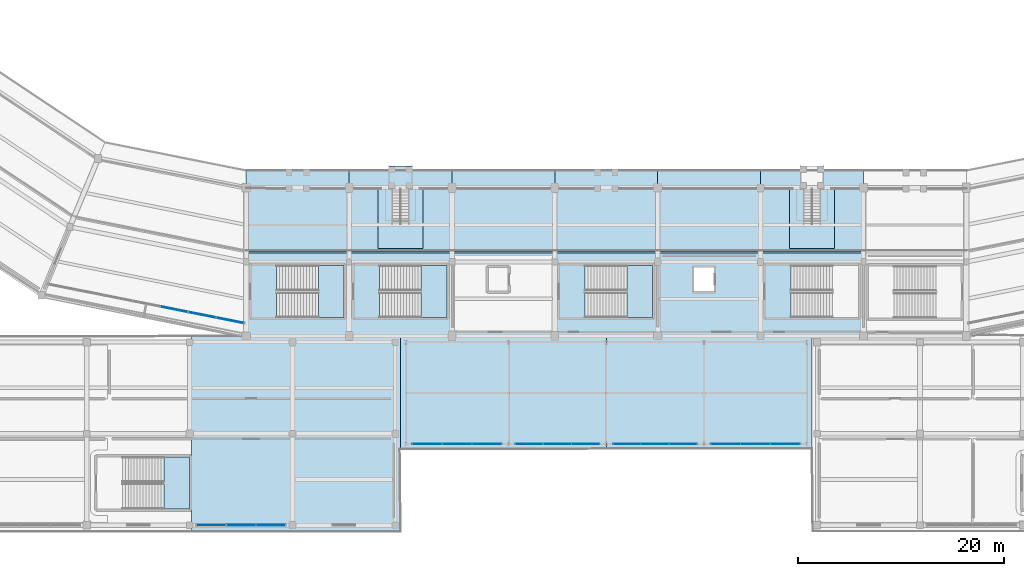
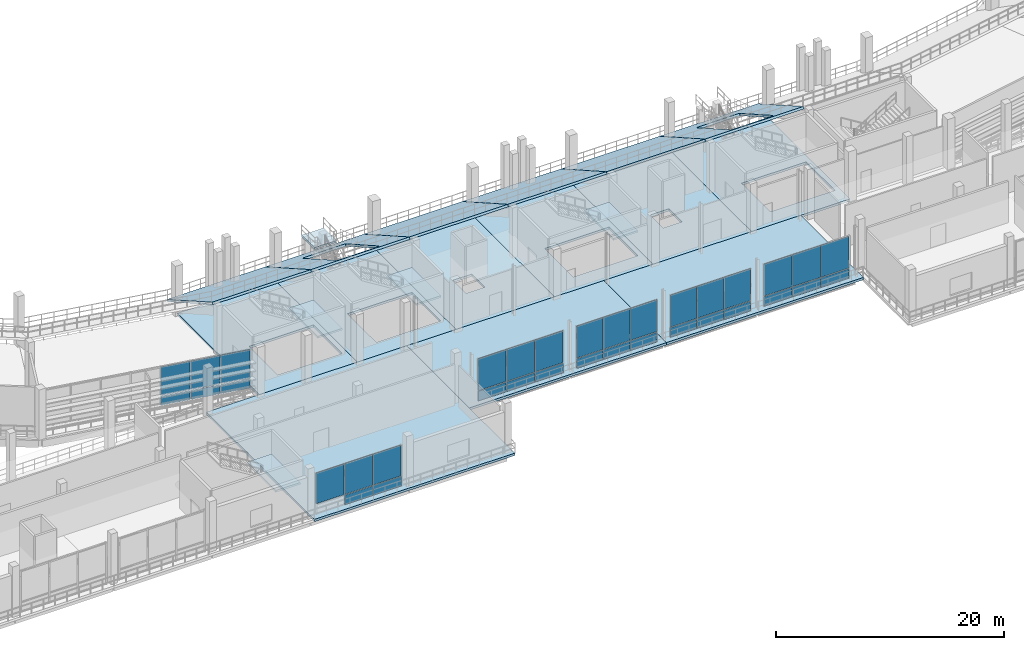
# One storey, part 63 of 127: 35 plates, 20 slabs, 11 elements without a shape of their own.
"""IFC4 building model written with IfcOpenShell, lengths in metres."""

import ifcopenshell
import ifcopenshell.guid

model = None  # the IFC model being written
_history = None  # IfcOwnerHistory: only IFC2X3 demands one
_inside = {}  # id of a spatial element -> (the spatial element, [elements in it])
_under = {}  # id of a project, library or spatial element -> (it, [spatial elements below it])
_declared = {}  # id of a project -> (the project, [libraries it declares])
_typed = {}  # id of a type object -> (the type object, [elements of that type])
_made_of = {}  # id of a material, layer set ... -> (it, [elements and type objects made of it])


def new_model(schema):
    """Start an empty IFC model of exactly this schema.

    Asked for "IFC4X3", IfcOpenShell would pick the latest addendum, in which some entities
    have other attributes; the version numbers below select the first issue.
    IFC2X3 requires an IfcOwnerHistory on every rooted entity: one is made here for all.
    """
    global model, _history
    if schema == "IFC4X3":
        model = ifcopenshell.file(schema_version=(4, 3, 0, 0))
    else:
        model = ifcopenshell.file(schema=schema)
    _inside.clear()
    _under.clear()
    _declared.clear()
    _typed.clear()
    _made_of.clear()
    _history = None
    if model.schema == "IFC2X3":
        org = make("IfcOrganization", Name="unknown")
        user = make(
            "IfcPersonAndOrganization",
            ThePerson=make("IfcPerson", FamilyName="unknown"),
            TheOrganization=org,
        )
        app = make(
            "IfcApplication",
            ApplicationDeveloper=org,
            Version="unknown",
            ApplicationFullName="unknown",
            ApplicationIdentifier="unknown",
        )
        _history = make(
            "IfcOwnerHistory",
            OwningUser=user,
            OwningApplication=app,
            ChangeAction="ADDED",
            CreationDate=0,
        )
    return model


def make(cls, **values):
    """One entity of the class cls with the attributes given. An attribute that is None is left unset."""
    return model.create_entity(
        cls, **{name: value for name, value in values.items() if value is not None}
    )


def rooted(cls, **values):
    """An entity with a GlobalId (a new one), such as an element, a storey or a relation."""
    return make(cls, GlobalId=ifcopenshell.guid.new(), OwnerHistory=_history, **values)


def si_unit(unit_type, name, prefix=None):
    """IfcSIUnit, for example si_unit("LENGTHUNIT", "METRE", prefix="MILLI")."""
    return make("IfcSIUnit", UnitType=unit_type, Prefix=prefix, Name=name)


def assignment(units):
    """IfcUnitAssignment: the units of a project."""
    return None if units is None else make("IfcUnitAssignment", Units=units)


def point(xyz):
    """IfcCartesianPoint."""
    return None if xyz is None else make("IfcCartesianPoint", Coordinates=xyz)


def direction(xyz):
    """IfcDirection."""
    return None if xyz is None else make("IfcDirection", DirectionRatios=xyz)


def frame(location, z_axis=None, x_axis=None):
    """IfcAxis2Placement3D, a coordinate frame: its origin and axes. An axis left out is left unset."""
    return make(
        "IfcAxis2Placement3D",
        Location=point(location),
        Axis=direction(z_axis),
        RefDirection=direction(x_axis),
    )


def frame_2d(location, x_axis=None):
    """IfcAxis2Placement2D, a coordinate frame in the plane: its origin and x axis."""
    return make(
        "IfcAxis2Placement2D", Location=point(location), RefDirection=direction(x_axis)
    )


def origin():
    """The frame at (0, 0, 0) with its axes left unset."""
    return frame((0.0, 0.0, 0.0))


def origin_2d():
    """The frame at (0, 0) in the plane with its x axis left unset."""
    return frame_2d((0.0, 0.0))


def place(relative_to, where):
    """IfcLocalPlacement: puts the frame where relative to a parent placement (None: the world)."""
    return make(
        "IfcLocalPlacement", PlacementRelTo=relative_to, RelativePlacement=where
    )


def context(
    kind, dimensions, precision=None, world=None, true_north=None, identifier=None
):
    """IfcGeometricRepresentationContext, for example the 3D "Model" context."""
    return make(
        "IfcGeometricRepresentationContext",
        ContextIdentifier=identifier,
        ContextType=kind,
        CoordinateSpaceDimension=dimensions,
        Precision=precision,
        WorldCoordinateSystem=world,
        TrueNorth=true_north,
    )


def subcontext(parent, identifier, kind, view, scale=None):
    """IfcGeometricRepresentationSubContext, for example "Body" below "Model"."""
    return make(
        "IfcGeometricRepresentationSubContext",
        ContextIdentifier=identifier,
        ContextType=kind,
        ParentContext=parent,
        TargetScale=scale,
        TargetView=view,
    )


def project(units=None, contexts=None):
    """IfcProject with its units and contexts."""
    return rooted(
        "IfcProject",
        Name="project",
        RepresentationContexts=contexts,
        UnitsInContext=assignment(units),
    )


def spatial(cls, under=None, at=None, **own):
    """A site, building, storey or space (cls), placed at a placement, below another one or the project."""
    s = rooted(cls, ObjectPlacement=at, **own)
    if under is not None:
        _under.setdefault(under.id(), (under, []))[1].append(s)
    return s


def polyline(points):
    """IfcPolyline through the points."""
    return make("IfcPolyline", Points=[point(p) for p in points])


def profile(cls, at=None, kind="AREA", **sizes):
    """A parametric profile (cls). Its sizes go by their IFC names, for example OverallWidth=200.0."""
    return make(cls, ProfileType=kind, Position=at, **sizes)


def rectangle(**sizes):
    """IfcRectangleProfileDef."""
    return profile("IfcRectangleProfileDef", **sizes)


def outline(outer, holes=None, kind="AREA"):
    """IfcArbitraryClosedProfileDef: a profile drawn as a closed curve; with holes, ...WithVoids."""
    if holes is None:
        return make("IfcArbitraryClosedProfileDef", ProfileType=kind, OuterCurve=outer)
    return make(
        "IfcArbitraryProfileDefWithVoids",
        ProfileType=kind,
        OuterCurve=outer,
        InnerCurves=holes,
    )


def extrude(swept, where, along, depth):
    """IfcExtrudedAreaSolid: the profile swept, set in the frame where, extruded along a direction by depth."""
    return make(
        "IfcExtrudedAreaSolid",
        SweptArea=swept,
        Position=where,
        ExtrudedDirection=direction(along),
        Depth=depth,
    )


def shape(context_of_items, identifier, shape_type, items):
    """IfcShapeRepresentation: the items that make up one representation, for example the "Body"."""
    return make(
        "IfcShapeRepresentation",
        ContextOfItems=context_of_items,
        RepresentationIdentifier=identifier,
        RepresentationType=shape_type,
        Items=items,
    )


def material(Name=None, Category=None):
    """IfcMaterial."""
    return make("IfcMaterial", Name=Name, Category=Category)


def layer(
    of_material, thickness, ventilated=None, Name=None, Category=None, Priority=None
):
    """IfcMaterialLayer: one layer of a wall or slab, of a material (None: an air gap)."""
    return make(
        "IfcMaterialLayer",
        Material=of_material,
        LayerThickness=thickness,
        IsVentilated=ventilated,
        Name=Name,
        Category=Category,
        Priority=Priority,
    )


def layer_set(layers, Name=None):
    """IfcMaterialLayerSet."""
    return make("IfcMaterialLayerSet", MaterialLayers=layers, LayerSetName=Name)


def made_of(thing, what):
    """Note that an element or type object is made of a material, layer set ...; save() writes the relation."""
    if what is not None:
        _made_of.setdefault(what.id(), (what, []))[1].append(thing)
    return thing


def type_object(cls, material=None, **own):
    """A type object (cls), such as IfcWallType, which elements share."""
    return made_of(rooted(cls, **own), material)


def element(
    cls,
    number,
    at=None,
    inside=None,
    cuts=None,
    type_object=None,
    material=None,
    context=None,
    identifier="Body",
    shape_type=None,
    held_by="IfcProductDefinitionShape",
    body=None,
    shapes=None,
    **own,
):
    """One element of the class cls, such as IfcWall. Its Tag is "e" and its number.

    at: its placement. inside: the storey or other place that contains it. cuts: it is an
    opening in that element (IfcRelVoidsElement). A single representation is given by context,
    identifier, shape_type and body (its items); several are given by shapes. held_by: the class
    of the entity that holds the representations. save() writes the other relations.
    """
    e = rooted(cls, Tag="e%d" % number, ObjectPlacement=at, **own)
    if body is not None:
        shapes = [shape(context, identifier, shape_type, body)]
    if shapes is not None:
        e.Representation = make(held_by, Representations=shapes)
    if inside is not None:
        _inside.setdefault(inside.id(), (inside, []))[1].append(e)
    if cuts is not None:
        rooted(
            "IfcRelVoidsElement", RelatingBuildingElement=cuts, RelatedOpeningElement=e
        )
    if type_object is not None:
        _typed.setdefault(type_object.id(), (type_object, []))[1].append(e)
    return made_of(e, material)


def aggregate(whole, parts):
    """IfcRelAggregates: a whole, such as a stair, and the parts it consists of."""
    return rooted("IfcRelAggregates", RelatingObject=whole, RelatedObjects=parts)


def save(model, path):
    """Write the relations noted so far, then the file.

    IfcRelAggregates (storeys below a building ...), IfcRelContainedInSpatialStructure (elements
    in a storey), IfcRelDefinesByType, IfcRelAssociatesMaterial and IfcRelDeclares: one each for
    every whole, place, type object, material and project.
    """
    for whole, parts in _under.values():
        aggregate(whole, parts)
    for where, things in _inside.values():
        rooted(
            "IfcRelContainedInSpatialStructure",
            RelatedElements=things,
            RelatingStructure=where,
        )
    for kind, things in _typed.values():
        rooted("IfcRelDefinesByType", RelatedObjects=things, RelatingType=kind)
    for what, things in _made_of.values():
        rooted("IfcRelAssociatesMaterial", RelatedObjects=things, RelatingMaterial=what)
    for by, libraries in _declared.values():
        rooted("IfcRelDeclares", RelatingContext=by, RelatedDefinitions=libraries)
    model.write(path)


model = new_model("IFC4")

# Units and contexts
model_context = context("Model", 3, precision=1e-05, world=origin(), true_north=direction((0.0, 1.0)))
body_context = subcontext(model_context, "Body", "Model", "MODEL_VIEW")
ifc_project = project(units=[si_unit("LENGTHUNIT", "METRE"), si_unit("AREAUNIT", "SQUARE_METRE"), si_unit("VOLUMEUNIT", "CUBIC_METRE"), si_unit("PLANEANGLEUNIT", "RADIAN"), si_unit("MASSUNIT", "GRAM", prefix="KILO")], contexts=[model_context])

# Site, building, storey
site_placement = place(None, origin())
site = spatial("IfcSite", under=ifc_project, at=site_placement, CompositionType="ELEMENT")
building_placement = place(site_placement, origin())
building = spatial("IfcBuilding", under=site, at=building_placement, Name="Candeia Ridge Stadium", CompositionType="ELEMENT")
storey_placement = place(building_placement, frame((0.0, 0.0, 10.800048828125)))
storey = spatial("IfcBuildingStorey", under=building, at=storey_placement, Name="L02", CompositionType="ELEMENT", Elevation=10.800048828125)

# Slabs
ifc_material_1 = material(Name="Precast concrete C45/55", Category="concrete")
ifc_layer_1 = layer(ifc_material_1, 0.22509765625, Name="Precast concrete C45/55", Category="concrete")
ifc_layer_set_1 = layer_set([ifc_layer_1], Name="Precast concrete C45/55")
slab_type_1 = type_object("IfcSlabType", Name="Club Seating Tier Precast 225", PredefinedType="USERDEFINED", material=ifc_layer_set_1)
slab_1_placement = place(storey_placement, frame((71.0, 35.199951171875, 0.39990234375), z_axis=(0.0, 0.494386728352, 0.869242062276), x_axis=(1.0, 0.0, 0.0)))
element("IfcSlab", 1, at=slab_1_placement, inside=storey, type_object=slab_type_1, Name="Stand Club Tier Stands Bay 19", ObjectType="SEATING TIER", PredefinedType="USERDEFINED", context=body_context, shape_type="SweptSolid", body=[
    extrude(outline(polyline([(0.0, 0.0), (10.0, 0.0), (10.0, -9.203420252184602), (0.0, -9.203420252184602), (0.0, 0.0)])), origin(), (0.0, 0.0, -1.0), 0.22509765625),
])
slab_2_placement = place(storey_placement, frame((81.0, 35.199951171875, 0.39990234375), z_axis=(0.0, 0.494386728352, 0.869242062276), x_axis=(1.0, 0.0, 0.0)))
element("IfcSlab", 2, at=slab_2_placement, inside=storey, type_object=slab_type_1, Name="Stand Club Tier Stands Bay 20", ObjectType="SEATING TIER", PredefinedType="USERDEFINED", context=body_context, shape_type="SweptSolid", body=[
    extrude(outline(polyline([(0.0, 0.0), (10.0, 0.0), (10.0, -9.203420252184602), (0.0, -9.203420252184602), (0.0, 0.0)]), holes=[polyline([(2.800048828125, -1.8406291399876151), (7.199951171875, -1.8406291399876151), (7.199951171875, -8.835281957197845), (2.800048828125, -8.835281957197845), (2.800048828125, -1.8406291399876151)])]), origin(), (0.0, 0.0, -1.0), 0.22509765625),
])
for number, where, z_axis, x_axis, name in (
    (3, (91.0, 35.199951171875, 0.39990234375), (0.0, 0.494386728352, 0.869242062276), (1.0, 0.0, 0.0), "Stand Club Tier Stands Bay 21"),
    (4, (101.0, 35.199951171875, 0.39990234375), (0.0, 0.494386728352, 0.869242062276), (1.0, 0.0, 0.0), "Stand Club Tier Stands Bay 22"),
    (5, (111.0, 35.199951171875, 0.39990234375), (0.0, 0.494386728352, 0.869242062276), (1.0, 0.0, 0.0), "Stand Club Tier Stands Bay 23"),
):
    element("IfcSlab", number, at=place(storey_placement, frame(where, z_axis=z_axis, x_axis=x_axis)), inside=storey, type_object=slab_type_1, Name=name, ObjectType="SEATING TIER", PredefinedType="USERDEFINED", context=body_context, shape_type="SweptSolid", body=[
        extrude(outline(polyline([(0.0, 0.0), (10.0, 0.0), (10.0, -9.203420252184602), (0.0, -9.203420252184602), (0.0, 0.0)])), origin(), (0.0, 0.0, -1.0), 0.22509765625),
    ])
slab_3_placement = place(storey_placement, frame((121.0, 35.199951171875, 0.39990234375), z_axis=(0.0, 0.494386728352, 0.869242062276), x_axis=(1.0, 0.0, 0.0)))
element("IfcSlab", 6, at=slab_3_placement, inside=storey, type_object=slab_type_1, Name="Stand Club Tier Stands Bay 24", ObjectType="SEATING TIER", PredefinedType="USERDEFINED", context=body_context, shape_type="SweptSolid", body=[
    extrude(outline(polyline([(0.0, 0.0), (10.0, 0.0), (10.0, -9.203420252184602), (0.0, -9.203420252184602), (0.0, 0.0)]), holes=[polyline([(2.800048828125, -1.8406291399876151), (7.199951171875, -1.8406291399876151), (7.199951171875, -8.835281957197845), (2.800048828125, -8.835281957197845), (2.800048828125, -1.8406291399876151)])]), origin(), (0.0, 0.0, -1.0), 0.22509765625),
])
ifc_material_2 = material(Name="Concrete C40/50", Category="concrete")
ifc_layer_2 = layer(ifc_material_2, 0.260009765625, Name="Concrete C40/50", Category="concrete")
ifc_layer_set_2 = layer_set([ifc_layer_2], Name="Concrete C40/50")
slab_type_2 = type_object("IfcSlabType", Name="Concourse Structural Slab 260", PredefinedType="FLOOR", material=ifc_layer_set_2)
slab_4_placement = place(storey_placement, frame((0.0, 0.0, -0.260009765625)))
element("IfcSlab", 7, at=slab_4_placement, inside=storey, type_object=slab_type_2, Name="Wing floor slab sgate SLB-L02-0263", PredefinedType="FLOOR", context=body_context, shape_type="SweptSolid", body=[
    extrude(outline(polyline([(86.0, 8.0), (86.0, 19.0), (106.0, 19.0), (106.0, 8.0), (86.0, 8.0)])), origin(), (0.0, 0.0, 1.0), 0.260009765625),
])
slab_5_placement = place(storey_placement, frame((0.0, 0.0, -0.260009765625)))
element("IfcSlab", 8, at=slab_5_placement, inside=storey, type_object=slab_type_2, Name="Wing floor slab sgate SLB-L02-0264", PredefinedType="FLOOR", context=body_context, shape_type="SweptSolid", body=[
    extrude(outline(polyline([(106.0, 8.0), (106.0, 19.0), (126.0, 19.0), (126.0, 8.0), (106.0, 8.0)])), origin(), (0.0, 0.0, 1.0), 0.260009765625),
])

# Stair, slab
stair_type_1 = type_object("IfcStairType", Name="Enclosed Core Half-Turn Stair 2450", PredefinedType="HALF_TURN_STAIR", material=ifc_material_2)
stair_1_placement = place(storey_placement, origin())
stair_1 = element("IfcStair", 9, at=stair_1_placement, inside=storey, type_object=stair_type_1, Name="L02 Enclosed exit stair ST02", PredefinedType="HALF_TURN_STAIR")
ifc_layer_3 = layer(ifc_material_2, 0.199951171875, Name="Concrete C40/50", Category="concrete")
ifc_layer_set_3 = layer_set([ifc_layer_3], Name="Concrete C40/50")
slab_type_3 = type_object("IfcSlabType", Name="Core Stair Landing Slab 200", PredefinedType="LANDING", material=ifc_layer_set_3)
slab_6_placement = place(storey_placement, frame((0.0, 0.0, 2.5)))
slab_6 = element("IfcSlab", 10, at=slab_6_placement, type_object=slab_type_3, Name="ST02 landing 1", PredefinedType="LANDING", context=body_context, shape_type="SweptSolid", body=[
    extrude(outline(polyline([(78.010009765625, 20.800048828125), (80.5, 20.800048828125), (80.5, 25.85009765625), (78.010009765625, 25.85009765625), (78.010009765625, 20.800048828125)])), origin(), (0.0, 0.0, 1.0), 0.199951171875),
])
aggregate(stair_1, [slab_6])

stair_2_placement = place(storey_placement, origin())
stair_2 = element("IfcStair", 11, at=stair_2_placement, inside=storey, type_object=stair_type_1, Name="L02 Enclosed exit stair ST11", PredefinedType="HALF_TURN_STAIR")
slab_7_placement = place(storey_placement, frame((0.0, 0.0, 2.5)))
slab_7 = element("IfcSlab", 12, at=slab_7_placement, type_object=slab_type_3, Name="ST11 landing 1", PredefinedType="LANDING", context=body_context, shape_type="SweptSolid", body=[
    extrude(outline(polyline([(88.010009765625, 20.800048828125), (90.5, 20.800048828125), (90.5, 25.85009765625), (88.010009765625, 25.85009765625), (88.010009765625, 20.800048828125)])), origin(), (0.0, 0.0, 1.0), 0.199951171875),
])
aggregate(stair_2, [slab_7])

stair_3_placement = place(storey_placement, origin())
stair_3 = element("IfcStair", 13, at=stair_3_placement, inside=storey, type_object=stair_type_1, Name="L02 Enclosed exit stair ST13", PredefinedType="HALF_TURN_STAIR")
slab_8_placement = place(storey_placement, frame((0.0, 0.0, 2.5)))
slab_8 = element("IfcSlab", 14, at=slab_8_placement, type_object=slab_type_3, Name="ST13 landing 1", PredefinedType="LANDING", context=body_context, shape_type="SweptSolid", body=[
    extrude(outline(polyline([(63.010009765625, 2.199951171875), (65.5, 2.199951171875), (65.5, 7.25), (63.010009765625, 7.25), (63.010009765625, 2.199951171875)])), origin(), (0.0, 0.0, 1.0), 0.199951171875),
])
aggregate(stair_3, [slab_8])

stair_4_placement = place(storey_placement, origin())
stair_4 = element("IfcStair", 15, at=stair_4_placement, inside=storey, type_object=stair_type_1, Name="L02 Enclosed exit stair ST18", PredefinedType="HALF_TURN_STAIR")
slab_9_placement = place(storey_placement, frame((0.0, 0.0, 2.5)))
slab_9 = element("IfcSlab", 16, at=slab_9_placement, type_object=slab_type_3, Name="ST18 landing 1", PredefinedType="LANDING", context=body_context, shape_type="SweptSolid", body=[
    extrude(outline(polyline([(108.010009765625, 20.800048828125), (110.5, 20.800048828125), (110.5, 25.85009765625), (108.010009765625, 25.85009765625), (108.010009765625, 20.800048828125)])), origin(), (0.0, 0.0, 1.0), 0.199951171875),
])
aggregate(stair_4, [slab_9])

stair_type_2 = type_object("IfcStairType", Name="Spectator Vomitory Straight Stair 2200", PredefinedType="STRAIGHT_RUN_STAIR", material=ifc_material_1)
stair_5_placement = place(storey_placement, origin())
stair_5 = element("IfcStair", 17, at=stair_5_placement, inside=storey, type_object=stair_type_2, Name="Vomitory stair VS22", PredefinedType="STRAIGHT_RUN_STAIR")
slab_10_placement = place(storey_placement, frame((0.0, 0.0, 2.0400390625)))
slab_10 = element("IfcSlab", 18, at=slab_10_placement, type_object=slab_type_3, Name="VS22 landing 1", PredefinedType="LANDING", context=body_context, shape_type="SweptSolid", body=[
    extrude(outline(polyline([(84.8798828125, 33.279541015625), (84.8798828125, 35.530029296875), (87.1201171875, 35.530029296875), (87.1201171875, 33.279541015625), (84.8798828125, 33.279541015625)])), origin(), (0.0, 0.0, 1.0), 0.199951171875),
])
aggregate(stair_5, [slab_10])

# Curtain wall, plates
ifc_material_3 = material(Name="Aluminium Anodized Warm Bronze", Category="aluminium")
curtain_wall_type_1 = type_object("IfcCurtainWallType", Name="Cardinal Entrance Gate Tall Glazed Curtain Wall", PredefinedType="NOTDEFINED", material=ifc_material_3)
curtain_wall_1_placement = place(storey_placement, origin())
curtain_wall_1 = element("IfcCurtainWall", 19, at=curtain_wall_1_placement, inside=storey, type_object=curtain_wall_type_1, Name="Unitised curtain wall CW-WNG-L02-127", PredefinedType="NOTDEFINED")
ifc_material_4 = material(Name="Laminated Acoustic Glazing", Category="glass")
ifc_layer_4 = layer(ifc_material_4, 0.035888671875, Name="Laminated Acoustic Glazing", Category="glass")
ifc_layer_set_4 = layer_set([ifc_layer_4], Name="Laminated Acoustic Glazing")
plate_type_1 = type_object("IfcPlateType", Name="Gate Tall Laminated Glass Panel GP3", PredefinedType="CURTAIN_PANEL", material=ifc_layer_set_4)
plate_1_placement = place(storey_placement, frame((88.606689453125, 8.5, 1.1396484375), z_axis=(0.0, 0.0, 1.0), x_axis=(1.0, 0.0, 0.0)))
plate_1 = element("IfcPlate", 20, at=plate_1_placement, type_object=plate_type_1, Name="Curtain wall vision glass panel CW-WNG-L02-127-GP0", PredefinedType="CURTAIN_PANEL", context=body_context, shape_type="SweptSolid", body=[
    extrude(rectangle(XDim=2.8232421875, YDim=0.035888671875, at=origin_2d()), origin(), (0.0, 0.0, 1.0), 3.422119140625),
])
plate_2_placement = place(storey_placement, frame((91.5, 8.5, 1.1396484375), z_axis=(0.0, 0.0, 1.0), x_axis=(1.0, 0.0, 0.0)))
plate_2 = element("IfcPlate", 21, at=plate_2_placement, type_object=plate_type_1, Name="Curtain wall vision glass panel CW-WNG-L02-127-GP1", PredefinedType="CURTAIN_PANEL", context=body_context, shape_type="SweptSolid", body=[
    extrude(rectangle(XDim=2.8232421875, YDim=0.035888671875, at=origin_2d()), origin(), (0.0, 0.0, 1.0), 3.422119140625),
])
plate_3_placement = place(storey_placement, frame((94.393310546875, 8.5, 1.1396484375), z_axis=(0.0, 0.0, 1.0), x_axis=(1.0, 0.0, 0.0)))
plate_3 = element("IfcPlate", 22, at=plate_3_placement, type_object=plate_type_1, Name="Curtain wall vision glass panel CW-WNG-L02-127-GP2", PredefinedType="CURTAIN_PANEL", context=body_context, shape_type="SweptSolid", body=[
    extrude(rectangle(XDim=2.8232421875, YDim=0.035888671875, at=origin_2d()), origin(), (0.0, 0.0, 1.0), 3.422119140625),
])

curtain_wall_2_placement = place(storey_placement, origin())
curtain_wall_2 = element("IfcCurtainWall", 23, at=curtain_wall_2_placement, inside=storey, type_object=curtain_wall_type_1, Name="Unitised curtain wall CW-WNG-L02-128", PredefinedType="NOTDEFINED")
plate_4_placement = place(storey_placement, frame((98.523193359375, 8.5, 1.1396484375), z_axis=(0.0, 0.0, 1.0), x_axis=(1.0, 0.0, 0.0)))
plate_4 = element("IfcPlate", 24, at=plate_4_placement, type_object=plate_type_1, Name="Curtain wall vision glass panel CW-WNG-L02-128-GP0", PredefinedType="CURTAIN_PANEL", context=body_context, shape_type="SweptSolid", body=[
    extrude(rectangle(XDim=2.65673828125, YDim=0.035888671875, at=origin_2d()), origin(), (0.0, 0.0, 1.0), 3.422119140625),
])
plate_5_placement = place(storey_placement, frame((101.25, 8.5, 1.1396484375), z_axis=(0.0, 0.0, 1.0), x_axis=(1.0, 0.0, 0.0)))
plate_5 = element("IfcPlate", 25, at=plate_5_placement, type_object=plate_type_1, Name="Curtain wall vision glass panel CW-WNG-L02-128-GP1", PredefinedType="CURTAIN_PANEL", context=body_context, shape_type="SweptSolid", body=[
    extrude(rectangle(XDim=2.65673828125, YDim=0.035888671875, at=origin_2d()), origin(), (0.0, 0.0, 1.0), 3.422119140625),
])
plate_6_placement = place(storey_placement, frame((103.976806640625, 8.5, 1.1396484375), z_axis=(0.0, 0.0, 1.0), x_axis=(1.0, 0.0, 0.0)))
plate_6 = element("IfcPlate", 26, at=plate_6_placement, type_object=plate_type_1, Name="Curtain wall vision glass panel CW-WNG-L02-128-GP2", PredefinedType="CURTAIN_PANEL", context=body_context, shape_type="SweptSolid", body=[
    extrude(rectangle(XDim=2.65673828125, YDim=0.035888671875, at=origin_2d()), origin(), (0.0, 0.0, 1.0), 3.422119140625),
])

curtain_wall_3_placement = place(storey_placement, origin())
curtain_wall_3 = element("IfcCurtainWall", 27, at=curtain_wall_3_placement, inside=storey, type_object=curtain_wall_type_1, Name="Unitised curtain wall CW-WNG-L02-129", PredefinedType="NOTDEFINED")
plate_7_placement = place(storey_placement, frame((108.023193359375, 8.5, 1.1396484375), z_axis=(0.0, 0.0, 1.0), x_axis=(1.0, 0.0, 0.0)))
plate_7 = element("IfcPlate", 28, at=plate_7_placement, type_object=plate_type_1, Name="Curtain wall vision glass panel CW-WNG-L02-129-GP0", PredefinedType="CURTAIN_PANEL", context=body_context, shape_type="SweptSolid", body=[
    extrude(rectangle(XDim=2.65673828125, YDim=0.035888671875, at=origin_2d()), origin(), (0.0, 0.0, 1.0), 3.422119140625),
])
plate_8_placement = place(storey_placement, frame((110.75, 8.5, 1.1396484375), z_axis=(0.0, 0.0, 1.0), x_axis=(1.0, 0.0, 0.0)))
plate_8 = element("IfcPlate", 29, at=plate_8_placement, type_object=plate_type_1, Name="Curtain wall vision glass panel CW-WNG-L02-129-GP1", PredefinedType="CURTAIN_PANEL", context=body_context, shape_type="SweptSolid", body=[
    extrude(rectangle(XDim=2.65673828125, YDim=0.035888671875, at=origin_2d()), origin(), (0.0, 0.0, 1.0), 3.422119140625),
])
plate_9_placement = place(storey_placement, frame((113.476806640625, 8.5, 1.1396484375), z_axis=(0.0, 0.0, 1.0), x_axis=(1.0, 0.0, 0.0)))
plate_9 = element("IfcPlate", 30, at=plate_9_placement, type_object=plate_type_1, Name="Curtain wall vision glass panel CW-WNG-L02-129-GP2", PredefinedType="CURTAIN_PANEL", context=body_context, shape_type="SweptSolid", body=[
    extrude(rectangle(XDim=2.65673828125, YDim=0.035888671875, at=origin_2d()), origin(), (0.0, 0.0, 1.0), 3.422119140625),
])

curtain_wall_4_placement = place(storey_placement, origin())
curtain_wall_4 = element("IfcCurtainWall", 31, at=curtain_wall_4_placement, inside=storey, type_object=curtain_wall_type_1, Name="Unitised curtain wall CW-WNG-L02-130", PredefinedType="NOTDEFINED")
plate_10_placement = place(storey_placement, frame((117.606689453125, 8.5, 1.1396484375), z_axis=(0.0, 0.0, 1.0), x_axis=(1.0, 0.0, 0.0)))
plate_10 = element("IfcPlate", 32, at=plate_10_placement, type_object=plate_type_1, Name="Curtain wall vision glass panel CW-WNG-L02-130-GP0", PredefinedType="CURTAIN_PANEL", context=body_context, shape_type="SweptSolid", body=[
    extrude(rectangle(XDim=2.8232421875, YDim=0.035888671875, at=origin_2d()), origin(), (0.0, 0.0, 1.0), 3.422119140625),
])
plate_11_placement = place(storey_placement, frame((120.5, 8.5, 1.1396484375), z_axis=(0.0, 0.0, 1.0), x_axis=(1.0, 0.0, 0.0)))
plate_11 = element("IfcPlate", 33, at=plate_11_placement, type_object=plate_type_1, Name="Curtain wall vision glass panel CW-WNG-L02-130-GP1", PredefinedType="CURTAIN_PANEL", context=body_context, shape_type="SweptSolid", body=[
    extrude(rectangle(XDim=2.8232421875, YDim=0.035888671875, at=origin_2d()), origin(), (0.0, 0.0, 1.0), 3.422119140625),
])
plate_12_placement = place(storey_placement, frame((123.393310546875, 8.5, 1.1396484375), z_axis=(0.0, 0.0, 1.0), x_axis=(1.0, 0.0, 0.0)))
plate_12 = element("IfcPlate", 34, at=plate_12_placement, type_object=plate_type_1, Name="Curtain wall vision glass panel CW-WNG-L02-130-GP2", PredefinedType="CURTAIN_PANEL", context=body_context, shape_type="SweptSolid", body=[
    extrude(rectangle(XDim=2.8232421875, YDim=0.035888671875, at=origin_2d()), origin(), (0.0, 0.0, 1.0), 3.422119140625),
])

# Slabs
ifc_layer_5 = layer(ifc_material_2, 0.25, Name="Concrete C40/50", Category="concrete")
ifc_layer_set_5 = layer_set([ifc_layer_5], Name="Concrete C40/50")
slab_type_4 = type_object("IfcSlabType", Name="Hospitality & Museum Slab 250", PredefinedType="FLOOR", material=ifc_layer_set_5)
slab_11_placement = place(storey_placement, frame((0.0, 0.0, -0.25)))
element("IfcSlab", 35, at=slab_11_placement, inside=storey, type_object=slab_type_4, Name="Bowl concourse sector slab L02 bay 19 SLB-L02-0091", PredefinedType="FLOOR", context=body_context, shape_type="SweptSolid", body=[
    extrude(outline(polyline([(81.0, 33.39990234375), (81.0, 19.0), (71.0400390625, 19.0), (71.0400390625, 33.39990234375), (81.0, 33.39990234375)]), holes=[polyline([(73.95068359375, 20.800048828125), (80.5, 20.800048828125), (80.5, 25.85009765625), (73.95068359375, 25.85009765625), (73.95068359375, 20.800048828125)])]), origin(), (0.0, 0.0, 1.0), 0.25),
])
slab_12_placement = place(storey_placement, frame((0.0, 0.0, -0.25)))
element("IfcSlab", 36, at=slab_12_placement, inside=storey, type_object=slab_type_4, Name="Bowl concourse sector slab L02 bay 20 SLB-L02-0092", PredefinedType="FLOOR", context=body_context, shape_type="SweptSolid", body=[
    extrude(outline(polyline([(91.0, 33.39990234375), (91.0, 19.0), (81.0, 19.0), (81.0, 33.39990234375), (91.0, 33.39990234375)]), holes=[polyline([(83.95068359375, 20.800048828125), (90.5, 20.800048828125), (90.5, 25.85009765625), (83.95068359375, 25.85009765625), (83.95068359375, 20.800048828125)])]), origin(), (0.0, 0.0, 1.0), 0.25),
])
slab_13_placement = place(storey_placement, frame((0.0, 0.0, -0.25)))
element("IfcSlab", 37, at=slab_13_placement, inside=storey, type_object=slab_type_4, Name="Bowl concourse sector slab L02 bay 21 SLB-L02-0093", PredefinedType="FLOOR", context=body_context, shape_type="SweptSolid", body=[
    extrude(outline(polyline([(101.0, 33.39990234375), (101.0, 19.0), (91.0, 19.0), (91.0, 33.39990234375), (101.0, 33.39990234375)]), holes=[polyline([(96.449951171875, 23.35009765625), (96.449951171875, 25.64990234375), (94.550048828125, 25.64990234375), (94.550048828125, 23.35009765625), (96.449951171875, 23.35009765625)])]), origin(), (0.0, 0.0, 1.0), 0.25),
])
slab_14_placement = place(storey_placement, frame((0.0, 0.0, -0.25)))
element("IfcSlab", 38, at=slab_14_placement, inside=storey, type_object=slab_type_4, Name="Bowl concourse sector slab L02 bay 22 SLB-L02-0094", PredefinedType="FLOOR", context=body_context, shape_type="SweptSolid", body=[
    extrude(outline(polyline([(111.0, 33.39990234375), (111.0, 19.0), (101.0, 19.0), (101.0, 33.39990234375), (111.0, 33.39990234375)]), holes=[polyline([(103.95068359375, 20.800048828125), (110.5, 20.800048828125), (110.5, 25.85009765625), (103.95068359375, 25.85009765625), (103.95068359375, 20.800048828125)])]), origin(), (0.0, 0.0, 1.0), 0.25),
])
slab_15_placement = place(storey_placement, frame((0.0, 0.0, -0.25)))
element("IfcSlab", 39, at=slab_15_placement, inside=storey, type_object=slab_type_4, Name="Bowl concourse sector slab L02 bay 23 SLB-L02-0095", PredefinedType="FLOOR", context=body_context, shape_type="SweptSolid", body=[
    extrude(outline(polyline([(121.0, 33.39990234375), (121.0, 19.0), (111.0, 19.0), (111.0, 33.39990234375), (121.0, 33.39990234375)]), holes=[polyline([(116.449951171875, 23.35009765625), (116.449951171875, 25.64990234375), (114.550048828125, 25.64990234375), (114.550048828125, 23.35009765625), (116.449951171875, 23.35009765625)])]), origin(), (0.0, 0.0, 1.0), 0.25),
])
slab_16_placement = place(storey_placement, frame((0.0, 0.0, -0.25)))
element("IfcSlab", 40, at=slab_16_placement, inside=storey, type_object=slab_type_4, Name="Bowl concourse sector slab L02 bay 24 SLB-L02-0096", PredefinedType="FLOOR", context=body_context, shape_type="SweptSolid", body=[
    extrude(outline(polyline([(131.0, 33.39990234375), (131.0, 19.0), (121.0, 19.0), (121.0, 33.39990234375), (131.0, 33.39990234375)]), holes=[polyline([(123.95068359375, 20.800048828125), (130.5, 20.800048828125), (130.5, 25.85009765625), (123.95068359375, 25.85009765625), (123.95068359375, 20.800048828125)])]), origin(), (0.0, 0.0, 1.0), 0.25),
])
slab_17_placement = place(storey_placement, frame((0.0, 0.0, -0.25)))
element("IfcSlab", 41, at=slab_17_placement, inside=storey, type_object=slab_type_4, Name="Wing floor slab sw_s SLB-L02-0259", PredefinedType="FLOOR", context=body_context, shape_type="SweptSolid", body=[
    extrude(outline(polyline([(65.666748046875, 0.0), (65.666748046875, 19.0), (86.0, 19.0), (86.0, 0.0), (65.666748046875, 0.0)])), origin(), (0.0, 0.0, 1.0), 0.25),
])

# Curtain wall, plates
curtain_wall_type_2 = type_object("IfcCurtainWallType", Name="Concourse Recessed Unitised Curtain Wall", PredefinedType="NOTDEFINED", material=ifc_material_3)
curtain_wall_5_placement = place(storey_placement, origin())
curtain_wall_5 = element("IfcCurtainWall", 42, at=curtain_wall_5_placement, inside=storey, type_object=curtain_wall_type_2, Name="Unitised curtain wall CW-BWL-L02-17", PredefinedType="NOTDEFINED")
ifc_material_5 = material(Name="Aluminium Insulated Spandrel", Category="aluminium")
ifc_layer_6 = layer(ifc_material_5, 0.06494140625, Name="Aluminium Insulated Spandrel", Category="aluminium")
ifc_layer_set_6 = layer_set([ifc_layer_6], Name="Aluminium Insulated Spandrel")
plate_type_2 = type_object("IfcPlateType", Name="Insulated Bronze Spandrel Panel SP5", PredefinedType="CURTAIN_PANEL", material=ifc_layer_set_6)
plate_13_placement = place(storey_placement, frame((64.006591796875, 21.591064453125, 0.0400390625), z_axis=(0.0, 0.0, 1.0), x_axis=(0.980785280696, -0.195090320544, 0.0)))
plate_13 = element("IfcPlate", 43, at=plate_13_placement, type_object=plate_type_2, Name="Curtain wall spandrel panel CW-BWL-L02-17-SP4", PredefinedType="CURTAIN_PANEL", context=body_context, shape_type="SweptSolid", body=[
    extrude(rectangle(XDim=2.710205078125, YDim=0.06494140625, at=origin_2d()), origin(), (0.0, 0.0, 1.0), 0.973876953125),
])
plate_14_placement = place(storey_placement, frame((66.7333984375, 21.048583984375, 0.0400390625), z_axis=(0.0, 0.0, 1.0), x_axis=(0.980785280696, -0.195090320544, 0.0)))
plate_14 = element("IfcPlate", 44, at=plate_14_placement, type_object=plate_type_2, Name="Curtain wall spandrel panel CW-BWL-L02-17-SP5", PredefinedType="CURTAIN_PANEL", context=body_context, shape_type="SweptSolid", body=[
    extrude(rectangle(XDim=2.710205078125, YDim=0.06494140625, at=origin_2d()), origin(), (0.0, 0.0, 1.0), 0.973876953125),
])
plate_15_placement = place(storey_placement, frame((69.460205078125, 20.50634765625, 0.0400390625), z_axis=(0.0, 0.0, 1.0), x_axis=(0.980785280696, -0.195090320544, 0.0)))
plate_15 = element("IfcPlate", 45, at=plate_15_placement, type_object=plate_type_2, Name="Curtain wall spandrel panel CW-BWL-L02-17-SP6", PredefinedType="CURTAIN_PANEL", context=body_context, shape_type="SweptSolid", body=[
    extrude(rectangle(XDim=2.710205078125, YDim=0.06494140625, at=origin_2d()), origin(), (0.0, 0.0, 1.0), 0.973876953125),
])

curtain_wall_type_3 = type_object("IfcCurtainWallType", Name="Museum & Boulevard Showcase Curtain Wall", PredefinedType="NOTDEFINED", material=ifc_material_3)
curtain_wall_6_placement = place(storey_placement, origin())
curtain_wall_6 = element("IfcCurtainWall", 46, at=curtain_wall_6_placement, inside=storey, type_object=curtain_wall_type_3, Name="Unitised curtain wall CW-WNG-L02-123", PredefinedType="NOTDEFINED")
ifc_layer_7 = layer(ifc_material_5, 0.06494140625, Name="Aluminium Insulated Spandrel", Category="aluminium")
ifc_layer_set_7 = layer_set([ifc_layer_7], Name="Aluminium Insulated Spandrel")
plate_type_3 = type_object("IfcPlateType", Name="Insulated Cedar-Tone Spandrel Panel SP3", PredefinedType="CURTAIN_PANEL", material=ifc_layer_set_7)
plate_16_placement = place(storey_placement, frame((70.5, 0.60009765625, 0.0400390625), z_axis=(0.0, 0.0, 1.0), x_axis=(1.0, 0.0, 0.0)))
plate_16 = element("IfcPlate", 47, at=plate_16_placement, type_object=plate_type_3, Name="Curtain wall spandrel panel CW-WNG-L02-123-SP1", PredefinedType="CURTAIN_PANEL", context=body_context, shape_type="SweptSolid", body=[
    extrude(rectangle(XDim=2.8232421875, YDim=0.06494140625, at=origin_2d()), origin(), (0.0, 0.0, 1.0), 1.02001953125),
])
plate_17_placement = place(storey_placement, frame((73.393310546875, 0.60009765625, 0.0400390625), z_axis=(0.0, 0.0, 1.0), x_axis=(1.0, 0.0, 0.0)))
plate_17 = element("IfcPlate", 48, at=plate_17_placement, type_object=plate_type_3, Name="Curtain wall spandrel panel CW-WNG-L02-123-SP2", PredefinedType="CURTAIN_PANEL", context=body_context, shape_type="SweptSolid", body=[
    extrude(rectangle(XDim=2.8232421875, YDim=0.06494140625, at=origin_2d()), origin(), (0.0, 0.0, 1.0), 1.02001953125),
])

# Plate
plate_18_placement = place(storey_placement, frame((88.606689453125, 8.5, 0.0400390625), z_axis=(0.0, 0.0, 1.0), x_axis=(1.0, 0.0, 0.0)))
plate_18 = element("IfcPlate", 49, at=plate_18_placement, type_object=plate_type_3, Name="Curtain wall spandrel panel CW-WNG-L02-127-SP0", PredefinedType="CURTAIN_PANEL", context=body_context, shape_type="SweptSolid", body=[
    extrude(rectangle(XDim=2.8232421875, YDim=0.06494140625, at=origin_2d()), origin(), (0.0, 0.0, 1.0), 1.02001953125),
])

plate_19_placement = place(storey_placement, frame((91.5, 8.5, 0.0400390625), z_axis=(0.0, 0.0, 1.0), x_axis=(1.0, 0.0, 0.0)))
plate_19 = element("IfcPlate", 50, at=plate_19_placement, type_object=plate_type_3, Name="Curtain wall spandrel panel CW-WNG-L02-127-SP1", PredefinedType="CURTAIN_PANEL", context=body_context, shape_type="SweptSolid", body=[
    extrude(rectangle(XDim=2.8232421875, YDim=0.06494140625, at=origin_2d()), origin(), (0.0, 0.0, 1.0), 1.02001953125),
])

plate_20_placement = place(storey_placement, frame((94.393310546875, 8.5, 0.0400390625), z_axis=(0.0, 0.0, 1.0), x_axis=(1.0, 0.0, 0.0)))
plate_20 = element("IfcPlate", 51, at=plate_20_placement, type_object=plate_type_3, Name="Curtain wall spandrel panel CW-WNG-L02-127-SP2", PredefinedType="CURTAIN_PANEL", context=body_context, shape_type="SweptSolid", body=[
    extrude(rectangle(XDim=2.8232421875, YDim=0.06494140625, at=origin_2d()), origin(), (0.0, 0.0, 1.0), 1.02001953125),
])

aggregate(curtain_wall_1, [plate_18, plate_1, plate_19, plate_2, plate_20, plate_3])

plate_21_placement = place(storey_placement, frame((98.523193359375, 8.5, 0.0400390625), z_axis=(0.0, 0.0, 1.0), x_axis=(1.0, 0.0, 0.0)))
plate_21 = element("IfcPlate", 52, at=plate_21_placement, type_object=plate_type_3, Name="Curtain wall spandrel panel CW-WNG-L02-128-SP0", PredefinedType="CURTAIN_PANEL", context=body_context, shape_type="SweptSolid", body=[
    extrude(rectangle(XDim=2.65673828125, YDim=0.06494140625, at=origin_2d()), origin(), (0.0, 0.0, 1.0), 1.02001953125),
])

plate_22_placement = place(storey_placement, frame((101.25, 8.5, 0.0400390625), z_axis=(0.0, 0.0, 1.0), x_axis=(1.0, 0.0, 0.0)))
plate_22 = element("IfcPlate", 53, at=plate_22_placement, type_object=plate_type_3, Name="Curtain wall spandrel panel CW-WNG-L02-128-SP1", PredefinedType="CURTAIN_PANEL", context=body_context, shape_type="SweptSolid", body=[
    extrude(rectangle(XDim=2.65673828125, YDim=0.06494140625, at=origin_2d()), origin(), (0.0, 0.0, 1.0), 1.02001953125),
])

plate_23_placement = place(storey_placement, frame((103.976806640625, 8.5, 0.0400390625), z_axis=(0.0, 0.0, 1.0), x_axis=(1.0, 0.0, 0.0)))
plate_23 = element("IfcPlate", 54, at=plate_23_placement, type_object=plate_type_3, Name="Curtain wall spandrel panel CW-WNG-L02-128-SP2", PredefinedType="CURTAIN_PANEL", context=body_context, shape_type="SweptSolid", body=[
    extrude(rectangle(XDim=2.65673828125, YDim=0.06494140625, at=origin_2d()), origin(), (0.0, 0.0, 1.0), 1.02001953125),
])

aggregate(curtain_wall_2, [plate_21, plate_4, plate_22, plate_5, plate_23, plate_6])

plate_24_placement = place(storey_placement, frame((108.023193359375, 8.5, 0.0400390625), z_axis=(0.0, 0.0, 1.0), x_axis=(1.0, 0.0, 0.0)))
plate_24 = element("IfcPlate", 55, at=plate_24_placement, type_object=plate_type_3, Name="Curtain wall spandrel panel CW-WNG-L02-129-SP0", PredefinedType="CURTAIN_PANEL", context=body_context, shape_type="SweptSolid", body=[
    extrude(rectangle(XDim=2.65673828125, YDim=0.06494140625, at=origin_2d()), origin(), (0.0, 0.0, 1.0), 1.02001953125),
])

plate_25_placement = place(storey_placement, frame((110.75, 8.5, 0.0400390625), z_axis=(0.0, 0.0, 1.0), x_axis=(1.0, 0.0, 0.0)))
plate_25 = element("IfcPlate", 56, at=plate_25_placement, type_object=plate_type_3, Name="Curtain wall spandrel panel CW-WNG-L02-129-SP1", PredefinedType="CURTAIN_PANEL", context=body_context, shape_type="SweptSolid", body=[
    extrude(rectangle(XDim=2.65673828125, YDim=0.06494140625, at=origin_2d()), origin(), (0.0, 0.0, 1.0), 1.02001953125),
])

plate_26_placement = place(storey_placement, frame((113.476806640625, 8.5, 0.0400390625), z_axis=(0.0, 0.0, 1.0), x_axis=(1.0, 0.0, 0.0)))
plate_26 = element("IfcPlate", 57, at=plate_26_placement, type_object=plate_type_3, Name="Curtain wall spandrel panel CW-WNG-L02-129-SP2", PredefinedType="CURTAIN_PANEL", context=body_context, shape_type="SweptSolid", body=[
    extrude(rectangle(XDim=2.65673828125, YDim=0.06494140625, at=origin_2d()), origin(), (0.0, 0.0, 1.0), 1.02001953125),
])

aggregate(curtain_wall_3, [plate_24, plate_7, plate_25, plate_8, plate_26, plate_9])

plate_27_placement = place(storey_placement, frame((117.606689453125, 8.5, 0.0400390625), z_axis=(0.0, 0.0, 1.0), x_axis=(1.0, 0.0, 0.0)))
plate_27 = element("IfcPlate", 58, at=plate_27_placement, type_object=plate_type_3, Name="Curtain wall spandrel panel CW-WNG-L02-130-SP0", PredefinedType="CURTAIN_PANEL", context=body_context, shape_type="SweptSolid", body=[
    extrude(rectangle(XDim=2.8232421875, YDim=0.06494140625, at=origin_2d()), origin(), (0.0, 0.0, 1.0), 1.02001953125),
])

plate_28_placement = place(storey_placement, frame((120.5, 8.5, 0.0400390625), z_axis=(0.0, 0.0, 1.0), x_axis=(1.0, 0.0, 0.0)))
plate_28 = element("IfcPlate", 59, at=plate_28_placement, type_object=plate_type_3, Name="Curtain wall spandrel panel CW-WNG-L02-130-SP1", PredefinedType="CURTAIN_PANEL", context=body_context, shape_type="SweptSolid", body=[
    extrude(rectangle(XDim=2.8232421875, YDim=0.06494140625, at=origin_2d()), origin(), (0.0, 0.0, 1.0), 1.02001953125),
])

plate_29_placement = place(storey_placement, frame((123.393310546875, 8.5, 0.0400390625), z_axis=(0.0, 0.0, 1.0), x_axis=(1.0, 0.0, 0.0)))
plate_29 = element("IfcPlate", 60, at=plate_29_placement, type_object=plate_type_3, Name="Curtain wall spandrel panel CW-WNG-L02-130-SP2", PredefinedType="CURTAIN_PANEL", context=body_context, shape_type="SweptSolid", body=[
    extrude(rectangle(XDim=2.8232421875, YDim=0.06494140625, at=origin_2d()), origin(), (0.0, 0.0, 1.0), 1.02001953125),
])

aggregate(curtain_wall_4, [plate_27, plate_10, plate_28, plate_11, plate_29, plate_12])

ifc_material_6 = material(Name="Tempered Low-E Double Glazing", Category="glass")
ifc_layer_8 = layer(ifc_material_6, 0.035888671875, Name="Tempered Low-E Double Glazing", Category="glass")
ifc_layer_set_8 = layer_set([ifc_layer_8], Name="Tempered Low-E Double Glazing")
plate_type_4 = type_object("IfcPlateType", Name="Pavilion Panorama Glass Panel GP4", PredefinedType="CURTAIN_PANEL", material=ifc_layer_set_8)
plate_30_placement = place(storey_placement, frame((67.606689453125, 0.60009765625, 1.14013671875), z_axis=(0.0, 0.0, 1.0), x_axis=(1.0, 0.0, 0.0)))
plate_30 = element("IfcPlate", 61, at=plate_30_placement, type_object=plate_type_4, Name="Curtain wall vision glass panel CW-WNG-L02-123-GP0", PredefinedType="CURTAIN_PANEL", context=body_context, shape_type="SweptSolid", body=[
    extrude(rectangle(XDim=2.8232421875, YDim=0.035888671875, at=origin_2d()), origin(), (0.0, 0.0, 1.0), 3.304931640625),
])

plate_31_placement = place(storey_placement, frame((70.5, 0.60009765625, 1.14013671875), z_axis=(0.0, 0.0, 1.0), x_axis=(1.0, 0.0, 0.0)))
plate_31 = element("IfcPlate", 62, at=plate_31_placement, type_object=plate_type_4, Name="Curtain wall vision glass panel CW-WNG-L02-123-GP1", PredefinedType="CURTAIN_PANEL", context=body_context, shape_type="SweptSolid", body=[
    extrude(rectangle(XDim=2.8232421875, YDim=0.035888671875, at=origin_2d()), origin(), (0.0, 0.0, 1.0), 3.304931640625),
])

plate_32_placement = place(storey_placement, frame((73.393310546875, 0.60009765625, 1.14013671875), z_axis=(0.0, 0.0, 1.0), x_axis=(1.0, 0.0, 0.0)))
plate_32 = element("IfcPlate", 63, at=plate_32_placement, type_object=plate_type_4, Name="Curtain wall vision glass panel CW-WNG-L02-123-GP2", PredefinedType="CURTAIN_PANEL", context=body_context, shape_type="SweptSolid", body=[
    extrude(rectangle(XDim=2.8232421875, YDim=0.035888671875, at=origin_2d()), origin(), (0.0, 0.0, 1.0), 3.304931640625),
])

aggregate(curtain_wall_6, [plate_30, plate_16, plate_31, plate_17, plate_32])

ifc_layer_9 = layer(ifc_material_6, 0.035888671875, Name="Tempered Low-E Double Glazing", Category="glass")
ifc_layer_set_9 = layer_set([ifc_layer_9], Name="Tempered Low-E Double Glazing")
plate_type_5 = type_object("IfcPlateType", Name="Solar Control Vision Glass Panel GP2", PredefinedType="CURTAIN_PANEL", material=ifc_layer_set_9)
plate_33_placement = place(storey_placement, frame((64.006591796875, 21.591064453125, 1.09375), z_axis=(0.0, 0.0, 1.0), x_axis=(0.980785280696, -0.195090320544, 0.0)))
plate_33 = element("IfcPlate", 64, at=plate_33_placement, type_object=plate_type_5, Name="Curtain wall vision glass panel CW-BWL-L02-17-GP4", PredefinedType="CURTAIN_PANEL", context=body_context, shape_type="SweptSolid", body=[
    extrude(rectangle(XDim=2.710205078125, YDim=0.035888671875, at=origin_2d()), origin(), (0.0, 0.0, 1.0), 3.081298828125),
])

plate_34_placement = place(storey_placement, frame((66.7333984375, 21.048583984375, 1.09375), z_axis=(0.0, 0.0, 1.0), x_axis=(0.980785280696, -0.195090320544, 0.0)))
plate_34 = element("IfcPlate", 65, at=plate_34_placement, type_object=plate_type_5, Name="Curtain wall vision glass panel CW-BWL-L02-17-GP5", PredefinedType="CURTAIN_PANEL", context=body_context, shape_type="SweptSolid", body=[
    extrude(rectangle(XDim=2.710205078125, YDim=0.035888671875, at=origin_2d()), origin(), (0.0, 0.0, 1.0), 3.081298828125),
])

plate_35_placement = place(storey_placement, frame((69.460205078125, 20.50634765625, 1.09375), z_axis=(0.0, 0.0, 1.0), x_axis=(0.980785280696, -0.195090320544, 0.0)))
plate_35 = element("IfcPlate", 66, at=plate_35_placement, type_object=plate_type_5, Name="Curtain wall vision glass panel CW-BWL-L02-17-GP6", PredefinedType="CURTAIN_PANEL", context=body_context, shape_type="SweptSolid", body=[
    extrude(rectangle(XDim=2.710205078125, YDim=0.035888671875, at=origin_2d()), origin(), (0.0, 0.0, 1.0), 3.081298828125),
])

aggregate(curtain_wall_5, [plate_13, plate_33, plate_14, plate_34, plate_15, plate_35])

save(model, "model.ifc")
